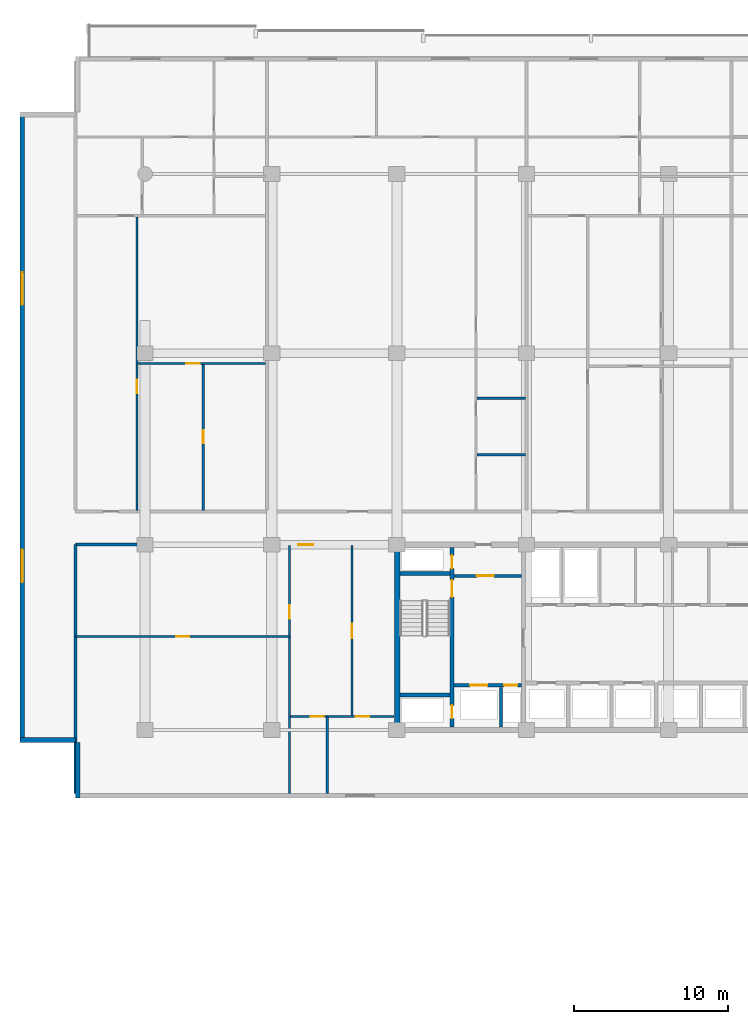
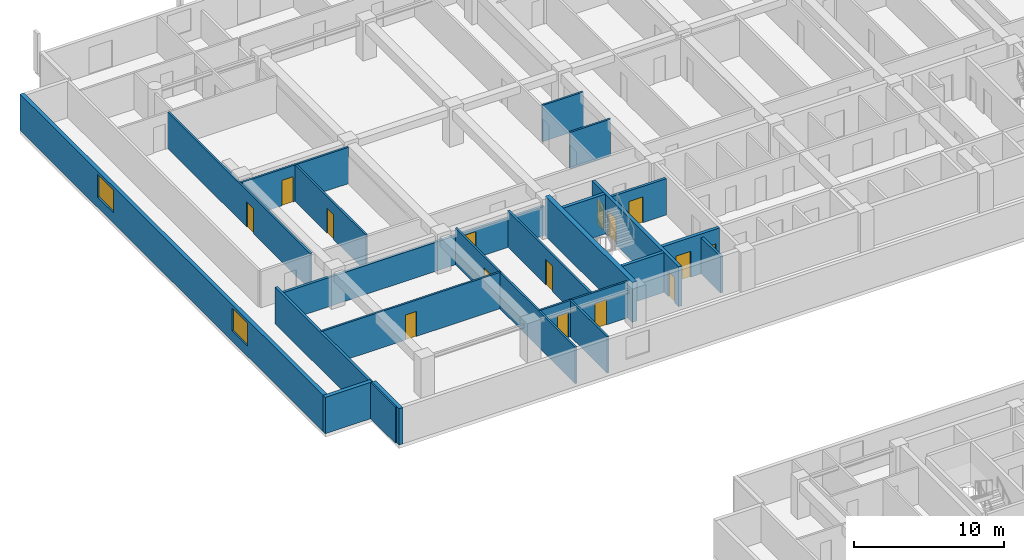
# One storey, part 9 of 23: 22 walls, 15 doors, 2 windows, 17 openings.
"""IFC4 building model written with IfcOpenShell, lengths in metres."""

from ifc_helpers import new_model, si_unit, direction, frame, frame_2d, origin, place, context, subcontext, project, spatial, rectangle, extrude, material, layer, layer_set, type_object, element, fill, save


model = new_model("IFC4")

# Units and contexts
model_context = context("Model", 3, precision=1e-05, world=origin(), true_north=direction((0.0, 1.0)))
body_context = subcontext(model_context, "Body", "Model", "MODEL_VIEW")
ifc_project = project(units=[si_unit("LENGTHUNIT", "METRE"), si_unit("AREAUNIT", "SQUARE_METRE"), si_unit("VOLUMEUNIT", "CUBIC_METRE"), si_unit("PLANEANGLEUNIT", "RADIAN"), si_unit("MASSUNIT", "GRAM", prefix="KILO")], contexts=[model_context])

# Site, building, storey
site_placement = place(None, origin())
site = spatial("IfcSite", under=ifc_project, at=site_placement, CompositionType="ELEMENT")
building_placement = place(site_placement, origin())
building = spatial("IfcBuilding", under=site, at=building_placement, Name="Korimba Cascade Residences", CompositionType="ELEMENT")
storey_placement = place(building_placement, frame((0.0, 0.0, 40.25)))
storey = spatial("IfcBuildingStorey", under=building, at=storey_placement, Name="L10", CompositionType="ELEMENT", Elevation=40.25)

# Wall, openings, windows
ifc_material_1 = material(Name="Precast concrete C40/50", Category="concrete")
ifc_layer_1 = layer(ifc_material_1, 0.300048828125)
ifc_layer_set_1 = layer_set([ifc_layer_1], Name="Precast concrete C40/50")
wall_type_1 = type_object("IfcWallType", Name="EW-STONE-300", PredefinedType="STANDARD", material=ifc_layer_set_1)
wall_1_placement = place(storey_placement, frame((51.85009765625, 95.199951171875, 0.0), z_axis=(0.0, 0.0, 1.0), x_axis=(0.0, -1.0, 0.0)))
wall_1 = element("IfcWall", 1, at=wall_1_placement, inside=storey, type_object=wall_type_1, Name="L10 T1 Perimeter Stone Wall E09", PredefinedType="STANDARD", context=body_context, shape_type="SweptSolid", body=[
    extrude(rectangle(XDim=40.800048828125, YDim=0.300048828125, at=frame_2d((20.39990234375, 0.0))), origin(), (0.0, 0.0, 1.0), 2.969970703125),
])
opening_1_placement = place(wall_1_placement, frame((10.3740234375, 0.0, 0.85009765625)))
opening_1 = element("IfcOpeningElement", 2, at=opening_1_placement, cuts=wall_1, Name="Opening W-03", PredefinedType="OPENING", context=body_context, shape_type="SweptSolid", body=[
    extrude(rectangle(XDim=2.10009765625, YDim=1.85009765625, at=frame_2d((1.050048828125, 0.925048828125))), frame((0.0, 0.16015625, 0.0), z_axis=(0.0, -1.0, 0.0), x_axis=(1.0, 0.0, 0.0)), (0.0, 0.0, 1.0), 0.320068359375),
])
opening_2_placement = place(wall_1_placement, frame((28.325927734375, 0.0, 0.85009765625)))
opening_2 = element("IfcOpeningElement", 3, at=opening_2_placement, cuts=wall_1, Name="Opening W-03", PredefinedType="OPENING", context=body_context, shape_type="SweptSolid", body=[
    extrude(rectangle(XDim=2.10009765625, YDim=1.85009765625, at=frame_2d((1.050048828125, 0.925048828125))), frame((0.0, 0.16015625, 0.0), z_axis=(0.0, -1.0, 0.0), x_axis=(1.0, 0.0, 0.0)), (0.0, 0.0, 1.0), 0.320068359375),
])
ifc_material_2 = material(Name="Double-Glazed Aluminium Window", Category="aluminium")
window_type = type_object("IfcWindowType", Name="WIN-CRN-2100", PartitioningType="DOUBLE_PANEL_HORIZONTAL", PredefinedType="WINDOW", material=ifc_material_2)
window_1_placement = place(opening_1_placement, origin())
window_1 = element("IfcWindow", 4, at=window_1_placement, inside=storey, type_object=window_type, Name="L10 T1 End View Window 9.1", OverallHeight=1.85009765625, OverallWidth=2.10009765625, PartitioningType="DOUBLE_PANEL_HORIZONTAL", PredefinedType="WINDOW", context=body_context, shape_type="SweptSolid", body=[
    extrude(rectangle(XDim=2.10009765625, YDim=1.85009765625, at=frame_2d((1.050048828125, 0.925048828125))), frame((0.0, 0.030029296875, 0.0), z_axis=(0.0, -1.0, 0.0), x_axis=(1.0, 0.0, 0.0)), (0.0, 0.0, 1.0), 0.06005859375),
])
fill(opening_1, window_1)
window_2_placement = place(opening_2_placement, origin())
window_2 = element("IfcWindow", 5, at=window_2_placement, inside=storey, type_object=window_type, Name="L10 T1 End View Window 9.2", OverallHeight=1.85009765625, OverallWidth=2.10009765625, PartitioningType="DOUBLE_PANEL_HORIZONTAL", PredefinedType="WINDOW", context=body_context, shape_type="SweptSolid", body=[
    extrude(rectangle(XDim=2.10009765625, YDim=1.85009765625, at=frame_2d((1.050048828125, 0.925048828125))), frame((0.0, 0.030029296875, 0.0), z_axis=(0.0, -1.0, 0.0), x_axis=(1.0, 0.0, 0.0)), (0.0, 0.0, 1.0), 0.06005859375),
])
fill(opening_2, window_2)

# Walls
wall_2_placement = place(storey_placement, frame((51.699951171875, 54.550048828125, 0.0), z_axis=(0.0, 0.0, 1.0), x_axis=(1.0, 0.0, 0.0)))
element("IfcWall", 6, at=wall_2_placement, inside=storey, type_object=wall_type_1, Name="L10 T1 Perimeter Stone Wall E10", PredefinedType="STANDARD", context=body_context, shape_type="SweptSolid", body=[
    extrude(rectangle(XDim=3.60009765625, YDim=0.300048828125, at=frame_2d((1.800048828125, 0.0))), origin(), (0.0, 0.0, 1.0), 2.969970703125),
])
wall_3_placement = place(storey_placement, frame((55.449951171875, 54.39990234375, 0.0), z_axis=(0.0, 0.0, 1.0), x_axis=(0.0, -1.0, 0.0)))
element("IfcWall", 7, at=wall_3_placement, inside=storey, type_object=wall_type_1, Name="L10 T1 Perimeter Stone Wall E11", PredefinedType="STANDARD", context=body_context, shape_type="SweptSolid", body=[
    extrude(rectangle(XDim=3.599853515625, YDim=0.300048828125, at=frame_2d((1.7998046875, 0.0))), origin(), (0.0, 0.0, 1.0), 2.969970703125),
])
ifc_material_3 = material(Name="Concrete C65/80", Category="concrete")
ifc_layer_2 = layer(ifc_material_3, 0.35009765625)
ifc_layer_set_2 = layer_set([ifc_layer_2], Name="Concrete C65/80")
wall_type_2 = type_object("IfcWallType", Name="WAL-CORE-350", PredefinedType="SHEAR", material=ifc_layer_set_2)
wall_4_placement = place(storey_placement, frame((76.125, 55.375, 0.0), z_axis=(0.0, 0.0, 1.0), x_axis=(0.0, 1.0, 0.0)))
element("IfcWall", 8, at=wall_4_placement, inside=storey, type_object=wall_type_2, Name="L10 Core Shear Wall CW-L10-T1-W", PredefinedType="SHEAR", context=body_context, shape_type="SweptSolid", body=[
    extrude(rectangle(XDim=11.64990234375, YDim=0.35009765625, at=frame_2d((5.824951171875, 0.0))), origin(), (0.0, 0.0, 1.0), 3.25),
])
ifc_layer_3 = layer(ifc_material_1, 0.199951171875)
ifc_layer_set_3 = layer_set([ifc_layer_3], Name="Precast concrete C40/50")
wall_type_3 = type_object("IfcWallType", Name="WAL-IT-200", PredefinedType="PARTITIONING", material=ifc_layer_set_3)
wall_5_placement = place(storey_placement, frame((55.300048828125, 51.10009765625, 0.0), z_axis=(0.0, 0.0, 1.0), x_axis=(0.0, 1.0, 0.0)))
element("IfcWall", 9, at=wall_5_placement, inside=storey, type_object=wall_type_3, Name="L10 Partition Wall WAL-L10-T1-FW-WL", PredefinedType="PARTITIONING", context=body_context, shape_type="SweptSolid", body=[
    extrude(rectangle(XDim=16.099853515625, YDim=0.199951171875, at=frame_2d((8.0498046875, 0.0))), origin(), (0.0, 0.0, 1.0), 2.969970703125),
])

# Wall, opening, door
wall_6_placement = place(storey_placement, frame((55.300048828125, 67.199951171875, 0.0), z_axis=(0.0, 0.0, 1.0), x_axis=(1.0, 0.0, 0.0)))
wall_6 = element("IfcWall", 10, at=wall_6_placement, inside=storey, type_object=wall_type_3, Name="L10 Partition Wall WAL-L10-T1-FW-N", PredefinedType="PARTITIONING", context=body_context, shape_type="SweptSolid", body=[
    extrude(rectangle(XDim=20.64990234375, YDim=0.199951171875, at=frame_2d((10.324951171875, 0.0))), origin(), (0.0, 0.0, 1.0), 2.3701171875),
])
opening_3_placement = place(wall_6_placement, frame((14.426025390625, 0.0, 0.0)))
opening_3 = element("IfcOpeningElement", 11, at=opening_3_placement, cuts=wall_6, Name="Opening D-UN1", PredefinedType="OPENING", context=body_context, shape_type="SweptSolid", body=[
    extrude(rectangle(XDim=0.949951171875, YDim=2.14990234375, at=frame_2d((0.47509765625, 1.074951171875))), frame((0.0, 0.10986328125, 0.0), z_axis=(0.0, -1.0, 0.0), x_axis=(1.0, 0.0, 0.0)), (0.0, 0.0, 1.0), 0.219970703125),
])
ifc_material_4 = material(Name="Fire-Rated Hardwood Apartment Entrance Door", Category="wood")
door_type_1 = type_object("IfcDoorType", Name="DR-FD60-950", OperationType="NOTDEFINED", PredefinedType="DOOR", material=ifc_material_4)
door_1_placement = place(opening_3_placement, origin())
door_1 = element("IfcDoor", 12, at=door_1_placement, inside=storey, type_object=door_type_1, Name="L10-T1-FW Entrance Door", OperationType="SINGLE_SWING_LEFT", OverallHeight=2.14990234375, OverallWidth=0.949951171875, PredefinedType="DOOR", context=body_context, shape_type="SweptSolid", body=[
    extrude(rectangle(XDim=0.949951171875, YDim=2.14990234375, at=frame_2d((0.47509765625, 1.074951171875))), frame((0.0, 0.02490234375, 0.0), z_axis=(0.0, -1.0, 0.0), x_axis=(1.0, 0.0, 0.0)), (0.0, 0.0, 1.0), 0.050048828125),
])
fill(opening_3, door_1)

ifc_material_5 = material(Name="Insulated Acoustic Stud Partition", Category="gypsum")
ifc_layer_4 = layer(ifc_material_5, 0.14990234375)
ifc_layer_set_4 = layer_set([ifc_layer_4], Name="Insulated Acoustic Stud Partition")
wall_type_4 = type_object("IfcWallType", Name="WAL-PART-150", PredefinedType="PARTITIONING", material=ifc_layer_set_4)
wall_7_placement = place(storey_placement, frame((55.300048828125, 61.25, 0.0), z_axis=(0.0, 0.0, 1.0), x_axis=(1.0, 0.0, 0.0)))
wall_7 = element("IfcWall", 13, at=wall_7_placement, inside=storey, type_object=wall_type_4, Name="L10 Partition Wall WAL-L10-T1-FW-STH", PredefinedType="PARTITIONING", context=body_context, shape_type="SweptSolid", body=[
    extrude(rectangle(XDim=13.849853515625, YDim=0.14990234375, at=frame_2d((6.9248046875, 0.0))), origin(), (0.0, 0.0, 1.0), 2.969970703125),
])
opening_4_placement = place(wall_7_placement, frame((6.5048828125, 0.0, 0.0)))
opening_4 = element("IfcOpeningElement", 14, at=opening_4_placement, cuts=wall_7, Name="Opening D-BT1", PredefinedType="OPENING", context=body_context, shape_type="SweptSolid", body=[
    extrude(rectangle(XDim=0.840087890625, YDim=2.0400390625, at=frame_2d((0.419921875, 1.02001953125))), frame((0.0, 0.0849609375, 0.0), z_axis=(0.0, -1.0, 0.0), x_axis=(1.0, 0.0, 0.0)), (0.0, 0.0, 1.0), 0.169921875),
])
ifc_material_6 = material(Name="Moisture-Resistant Bathroom Timber Door", Category="wood")
door_type_2 = type_object("IfcDoorType", Name="DR-INT-850", OperationType="NOTDEFINED", PredefinedType="DOOR", material=ifc_material_6)
door_2_placement = place(opening_4_placement, origin())
door_2 = element("IfcDoor", 15, at=door_2_placement, inside=storey, type_object=door_type_2, Name="L10-T1-FW Dressing Store Door", OperationType="SINGLE_SWING_RIGHT", OverallHeight=2.0400390625, OverallWidth=0.840087890625, PredefinedType="DOOR", context=body_context, shape_type="SweptSolid", body=[
    extrude(rectangle(XDim=0.840087890625, YDim=2.0400390625, at=frame_2d((0.419921875, 1.02001953125))), frame((0.0, 0.02490234375, 0.0), z_axis=(0.0, -1.0, 0.0), x_axis=(1.0, 0.0, 0.0)), (0.0, 0.0, 1.0), 0.050048828125),
])
fill(opening_4, door_2)

wall_8_placement = place(storey_placement, frame((69.14990234375, 51.10009765625, 0.0), z_axis=(0.0, 0.0, 1.0), x_axis=(0.0, 1.0, 0.0)))
wall_8 = element("IfcWall", 16, at=wall_8_placement, inside=storey, type_object=wall_type_4, Name="L10 Partition Wall WAL-L10-T1-FW-STV", PredefinedType="PARTITIONING", context=body_context, shape_type="SweptSolid", body=[
    extrude(rectangle(XDim=16.0498046875, YDim=0.14990234375, at=frame_2d((8.02490234375, 0.0))), origin(), (0.0, 0.0, 1.0), 2.969970703125),
])
opening_5_placement = place(wall_8_placement, frame((11.300048828125, 0.0, 0.0)))
opening_5 = element("IfcOpeningElement", 17, at=opening_5_placement, cuts=wall_8, Name="Opening D-IN2", PredefinedType="OPENING", context=body_context, shape_type="SweptSolid", body=[
    extrude(rectangle(XDim=0.8798828125, YDim=2.06005859375, at=frame_2d((0.43994140625, 1.030029296875))), frame((0.0, 0.0849609375, 0.0), z_axis=(0.0, -1.0, 0.0), x_axis=(1.0, 0.0, 0.0)), (0.0, 0.0, 1.0), 0.169921875),
])
ifc_material_7 = material(Name="Acoustic Timber Bedroom Door", Category="wood")
door_type_3 = type_object("IfcDoorType", Name="DR-INT-880", OperationType="NOTDEFINED", PredefinedType="DOOR", material=ifc_material_7)
door_3_placement = place(opening_5_placement, origin())
door_3 = element("IfcDoor", 18, at=door_3_placement, inside=storey, type_object=door_type_3, Name="L10-T1-FW Study Door", OperationType="SINGLE_SWING_LEFT", OverallHeight=2.06005859375, OverallWidth=0.8798828125, PredefinedType="DOOR", context=body_context, shape_type="SweptSolid", body=[
    extrude(rectangle(XDim=0.8798828125, YDim=2.06005859375, at=frame_2d((0.43994140625, 1.030029296875))), frame((0.0, 0.02490234375, 0.0), z_axis=(0.0, -1.0, 0.0), x_axis=(1.0, 0.0, 0.0)), (0.0, 0.0, 1.0), 0.050048828125),
])
fill(opening_5, door_3)

wall_9_placement = place(storey_placement, frame((73.199951171875, 56.070068359375, 0.0), z_axis=(0.0, 0.0, 1.0), x_axis=(0.0, 1.0, 0.0)))
wall_9 = element("IfcWall", 19, at=wall_9_placement, inside=storey, type_object=wall_type_4, Name="L10 Partition Wall WAL-L10-T1-FW-VN", PredefinedType="PARTITIONING", context=body_context, shape_type="SweptSolid", body=[
    extrude(rectangle(XDim=11.079833984375, YDim=0.14990234375, at=frame_2d((5.5400390625, 0.0))), origin(), (0.0, 0.0, 1.0), 2.969970703125),
])
opening_6_placement = place(wall_9_placement, frame((5.080078125, 0.0, 0.0)))
opening_6 = element("IfcOpeningElement", 20, at=opening_6_placement, cuts=wall_9, Name="Opening D-IN1", PredefinedType="OPENING", context=body_context, shape_type="SweptSolid", body=[
    extrude(rectangle(XDim=0.919921875, YDim=2.080078125, at=frame_2d((0.4599609375, 1.0400390625))), frame((0.0, 0.0849609375, 0.0), z_axis=(0.0, -1.0, 0.0), x_axis=(1.0, 0.0, 0.0)), (0.0, 0.0, 1.0), 0.169921875),
])
ifc_material_8 = material(Name="Acoustic Timber Living Door", Category="wood")
door_type_4 = type_object("IfcDoorType", Name="DR-INT-920", OperationType="NOTDEFINED", PredefinedType="DOOR", material=ifc_material_8)
door_4_placement = place(opening_6_placement, origin())
door_4 = element("IfcDoor", 21, at=door_4_placement, inside=storey, type_object=door_type_4, Name="L10-T1-FW Living Door", OperationType="SINGLE_SWING_RIGHT", OverallHeight=2.080078125, OverallWidth=0.919921875, PredefinedType="DOOR", context=body_context, shape_type="SweptSolid", body=[
    extrude(rectangle(XDim=0.919921875, YDim=2.080078125, at=frame_2d((0.4599609375, 1.0400390625))), frame((0.0, 0.02490234375, 0.0), z_axis=(0.0, -1.0, 0.0), x_axis=(1.0, 0.0, 0.0)), (0.0, 0.0, 1.0), 0.050048828125),
])
fill(opening_6, door_4)

# Wall
wall_10_placement = place(storey_placement, frame((71.60009765625, 51.10009765625, 0.0), z_axis=(0.0, 0.0, 1.0), x_axis=(0.0, 1.0, 0.0)))
element("IfcWall", 22, at=wall_10_placement, inside=storey, type_object=wall_type_4, Name="L10 Partition Wall WAL-L10-T1-FW-VS", PredefinedType="PARTITIONING", context=body_context, shape_type="SweptSolid", body=[
    extrude(rectangle(XDim=4.969970703125, YDim=0.14990234375, at=frame_2d((2.48486328125, 0.0))), origin(), (0.0, 0.0, 1.0), 2.969970703125),
])

# Wall, openings, doors
wall_11_placement = place(storey_placement, frame((69.169921875, 56.070068359375, 0.0), z_axis=(0.0, 0.0, 1.0), x_axis=(1.0, 0.0, 0.0)))
wall_11 = element("IfcWall", 23, at=wall_11_placement, inside=storey, type_object=wall_type_4, Name="L10 Partition Wall WAL-L10-T1-FW-H", PredefinedType="PARTITIONING", context=body_context, shape_type="SweptSolid", body=[
    extrude(rectangle(XDim=6.760009765625, YDim=0.14990234375, at=frame_2d((3.3798828125, 0.0))), origin(), (0.0, 0.0, 1.0), 2.969970703125),
])
opening_7_placement = place(wall_11_placement, frame((1.3623046875, 0.0, 0.0)))
opening_7 = element("IfcOpeningElement", 24, at=opening_7_placement, cuts=wall_11, Name="Opening D-BT1", PredefinedType="OPENING", context=body_context, shape_type="SweptSolid", body=[
    extrude(rectangle(XDim=0.840087890625, YDim=2.0400390625, at=frame_2d((0.419921875, 1.02001953125))), frame((0.0, 0.0849609375, 0.0), z_axis=(0.0, -1.0, 0.0), x_axis=(1.0, 0.0, 0.0)), (0.0, 0.0, 1.0), 0.169921875),
])
opening_8_placement = place(wall_11_placement, frame((4.276611328125, 0.0, 0.0)))
opening_8 = element("IfcOpeningElement", 25, at=opening_8_placement, cuts=wall_11, Name="Opening D-IN2", PredefinedType="OPENING", context=body_context, shape_type="SweptSolid", body=[
    extrude(rectangle(XDim=0.8798828125, YDim=2.06005859375, at=frame_2d((0.43994140625, 1.030029296875))), frame((0.0, 0.0849609375, 0.0), z_axis=(0.0, -1.0, 0.0), x_axis=(1.0, 0.0, 0.0)), (0.0, 0.0, 1.0), 0.169921875),
])
door_5_placement = place(opening_7_placement, origin())
door_5 = element("IfcDoor", 26, at=door_5_placement, inside=storey, type_object=door_type_2, Name="L10-T1-FW Bathroom Door", OperationType="SINGLE_SWING_LEFT", OverallHeight=2.0400390625, OverallWidth=0.840087890625, PredefinedType="DOOR", context=body_context, shape_type="SweptSolid", body=[
    extrude(rectangle(XDim=0.840087890625, YDim=2.0400390625, at=frame_2d((0.419921875, 1.02001953125))), frame((0.0, 0.02490234375, 0.0), z_axis=(0.0, -1.0, 0.0), x_axis=(1.0, 0.0, 0.0)), (0.0, 0.0, 1.0), 0.050048828125),
])
fill(opening_7, door_5)
door_6_placement = place(opening_8_placement, origin())
door_6 = element("IfcDoor", 27, at=door_6_placement, inside=storey, type_object=door_type_3, Name="L10-T1-FW Bedroom Door", OperationType="SINGLE_SWING_RIGHT", OverallHeight=2.06005859375, OverallWidth=0.8798828125, PredefinedType="DOOR", context=body_context, shape_type="SweptSolid", body=[
    extrude(rectangle(XDim=0.8798828125, YDim=2.06005859375, at=frame_2d((0.43994140625, 1.030029296875))), frame((0.0, 0.02490234375, 0.0), z_axis=(0.0, -1.0, 0.0), x_axis=(1.0, 0.0, 0.0)), (0.0, 0.0, 1.0), 0.050048828125),
])
fill(opening_8, door_6)

# Wall, opening, door
wall_12_placement = place(storey_placement, frame((63.565185546875, 69.409912109375, 0.0), z_axis=(0.0, 0.0, 1.0), x_axis=(0.0, 1.0, 0.0)))
wall_12 = element("IfcWall", 28, at=wall_12_placement, inside=storey, type_object=wall_type_4, Name="L10 Partition Wall WAL-L10-T1-U01-FMV", PredefinedType="PARTITIONING", context=body_context, shape_type="SweptSolid", body=[
    extrude(rectangle(XDim=9.525146484375, YDim=0.14990234375, at=frame_2d((4.7626953125, 0.0))), origin(), (0.0, 0.0, 1.0), 2.969970703125),
])
opening_9_placement = place(wall_12_placement, frame((4.342529296875, 0.0, 0.0)))
opening_9 = element("IfcOpeningElement", 29, at=opening_9_placement, cuts=wall_12, Name="Opening D-BT1", PredefinedType="OPENING", context=body_context, shape_type="SweptSolid", body=[
    extrude(rectangle(XDim=0.840087890625, YDim=2.0400390625, at=frame_2d((0.419921875, 1.02001953125))), frame((0.0, 0.0849609375, 0.0), z_axis=(0.0, -1.0, 0.0), x_axis=(1.0, 0.0, 0.0)), (0.0, 0.0, 1.0), 0.169921875),
])
door_7_placement = place(opening_9_placement, origin())
door_7 = element("IfcDoor", 30, at=door_7_placement, inside=storey, type_object=door_type_2, Name="L10-T1-U01 Wardrobe Door", OperationType="SINGLE_SWING_RIGHT", OverallHeight=2.0400390625, OverallWidth=0.840087890625, PredefinedType="DOOR", context=body_context, shape_type="SweptSolid", body=[
    extrude(rectangle(XDim=0.840087890625, YDim=2.0400390625, at=frame_2d((0.419921875, 1.02001953125))), frame((0.0, 0.02490234375, 0.0), z_axis=(0.0, -1.0, 0.0), x_axis=(1.0, 0.0, 0.0)), (0.0, 0.0, 1.0), 0.050048828125),
])
fill(opening_9, door_7)

wall_13_placement = place(storey_placement, frame((59.330078125, 78.93505859375, 0.0), z_axis=(0.0, 0.0, 1.0), x_axis=(1.0, 0.0, 0.0)))
wall_13 = element("IfcWall", 31, at=wall_13_placement, inside=storey, type_object=wall_type_4, Name="L10 Partition Wall WAL-L10-T1-U01-FMH", PredefinedType="PARTITIONING", context=body_context, shape_type="SweptSolid", body=[
    extrude(rectangle(XDim=8.27001953125, YDim=0.14990234375, at=frame_2d((4.135009765625, 0.0))), origin(), (0.0, 0.0, 1.0), 2.969970703125),
])
opening_10_placement = place(wall_13_placement, frame((3.135009765625, 0.0, 0.0)))
opening_10 = element("IfcOpeningElement", 32, at=opening_10_placement, cuts=wall_13, Name="Opening D-IN2", PredefinedType="OPENING", context=body_context, shape_type="SweptSolid", body=[
    extrude(rectangle(XDim=0.8798828125, YDim=2.06005859375, at=frame_2d((0.43994140625, 1.030029296875))), frame((0.0, 0.0849609375, 0.0), z_axis=(0.0, -1.0, 0.0), x_axis=(1.0, 0.0, 0.0)), (0.0, 0.0, 1.0), 0.169921875),
])
door_8_placement = place(opening_10_placement, origin())
door_8 = element("IfcDoor", 33, at=door_8_placement, inside=storey, type_object=door_type_3, Name="L10-T1-U01 Library Salon Door", OperationType="SINGLE_SWING_LEFT", OverallHeight=2.06005859375, OverallWidth=0.8798828125, PredefinedType="DOOR", context=body_context, shape_type="SweptSolid", body=[
    extrude(rectangle(XDim=0.8798828125, YDim=2.06005859375, at=frame_2d((0.43994140625, 1.030029296875))), frame((0.0, 0.02490234375, 0.0), z_axis=(0.0, -1.0, 0.0), x_axis=(1.0, 0.0, 0.0)), (0.0, 0.0, 1.0), 0.050048828125),
])
fill(opening_10, door_8)

wall_14_placement = place(storey_placement, frame((59.27001953125, 69.409912109375, 0.0), z_axis=(0.0, 0.0, 1.0), x_axis=(0.0, 1.0, 0.0)))
wall_14 = element("IfcWall", 34, at=wall_14_placement, inside=storey, type_object=wall_type_4, Name="L10 Partition Wall WAL-L10-T1-U01-FV", PredefinedType="PARTITIONING", context=body_context, shape_type="SweptSolid", body=[
    extrude(rectangle(XDim=19.050048828125, YDim=0.14990234375, at=frame_2d((9.52490234375, 0.0))), origin(), (0.0, 0.0, 1.0), 2.969970703125),
])
opening_11_placement = place(wall_14_placement, frame((7.590576171875, 0.0, 0.0)))
opening_11 = element("IfcOpeningElement", 35, at=opening_11_placement, cuts=wall_14, Name="Opening D-IN2", PredefinedType="OPENING", context=body_context, shape_type="SweptSolid", body=[
    extrude(rectangle(XDim=0.8798828125, YDim=2.06005859375, at=frame_2d((0.43994140625, 1.030029296875))), frame((0.0, 0.0849609375, 0.0), z_axis=(0.0, -1.0, 0.0), x_axis=(1.0, 0.0, 0.0)), (0.0, 0.0, 1.0), 0.169921875),
])
door_9_placement = place(opening_11_placement, origin())
door_9 = element("IfcDoor", 36, at=door_9_placement, inside=storey, type_object=door_type_3, Name="L10-T1-U01 Media Lounge Door", OperationType="SINGLE_SWING_RIGHT", OverallHeight=2.06005859375, OverallWidth=0.8798828125, PredefinedType="DOOR", context=body_context, shape_type="SweptSolid", body=[
    extrude(rectangle(XDim=0.8798828125, YDim=2.06005859375, at=frame_2d((0.43994140625, 1.030029296875))), frame((0.0, 0.02490234375, 0.0), z_axis=(0.0, -1.0, 0.0), x_axis=(1.0, 0.0, 0.0)), (0.0, 0.0, 1.0), 0.050048828125),
])
fill(opening_11, door_9)

# Walls
for number, where, z_axis, x_axis, name in (
    (37, (81.289306640625, 73.02001953125, 0.0), (0.0, 0.0, 1.0), (1.0, 0.0, 0.0), "L10 Partition Wall WAL-L10-T1-U02-WCH"),
    (38, (81.289306640625, 76.669921875, 0.0), (0.0, 0.0, 1.0), (1.0, 0.0, 0.0), "L10 Partition Wall WAL-L10-T1-U02-WCH2"),
):
    element("IfcWall", number, at=place(storey_placement, frame(where, z_axis=z_axis, x_axis=x_axis)), inside=storey, type_object=wall_type_4, Name=name, PredefinedType="PARTITIONING", context=body_context, shape_type="SweptSolid", body=[
        extrude(rectangle(XDim=3.130126953125, YDim=0.14990234375, at=frame_2d((1.56494140625, 0.0))), origin(), (0.0, 0.0, 1.0), 2.969970703125),
    ])
ifc_material_9 = material(Name="Concrete C40/50", Category="concrete")
ifc_layer_5 = layer(ifc_material_9, 0.199951171875)
ifc_layer_set_5 = layer_set([ifc_layer_5], Name="Concrete C40/50")
wall_type_5 = type_object("IfcWallType", Name="WAL-PART-200", PredefinedType="PARTITIONING", material=ifc_layer_set_5)
wall_15_placement = place(storey_placement, frame((82.85009765625, 55.39990234375, 0.0), z_axis=(0.0, 0.0, 1.0), x_axis=(0.0, 1.0, 0.0)))
element("IfcWall", 39, at=wall_15_placement, inside=storey, type_object=wall_type_5, Name="L10 Partition Wall CW-L10-T1-FFLDIV", PredefinedType="PARTITIONING", context=body_context, shape_type="SweptSolid", body=[
    extrude(rectangle(XDim=2.56005859375, YDim=0.199951171875, at=frame_2d((1.280029296875, 0.0))), origin(), (0.0, 0.0, 1.0), 2.969970703125),
])

# Wall, opening, door
wall_16_placement = place(storey_placement, frame((79.7900390625, 65.179931640625, 0.0), z_axis=(0.0, 0.0, 1.0), x_axis=(1.0, 0.0, 0.0)))
wall_16 = element("IfcWall", 40, at=wall_16_placement, inside=storey, type_object=wall_type_5, Name="L10 Partition Wall CW-L10-T1-FFLN", PredefinedType="PARTITIONING", context=body_context, shape_type="SweptSolid", body=[
    extrude(rectangle(XDim=4.389892578125, YDim=0.199951171875, at=frame_2d((2.19482421875, 0.0))), origin(), (0.0, 0.0, 1.0), 2.969970703125),
])
opening_12_placement = place(wall_16_placement, frame((1.5, 0.0, 0.0)))
opening_12 = element("IfcOpeningElement", 41, at=opening_12_placement, cuts=wall_16, Name="Opening D-FD1", PredefinedType="OPENING", context=body_context, shape_type="SweptSolid", body=[
    extrude(rectangle(XDim=1.10009765625, YDim=2.10009765625, at=frame_2d((0.550048828125, 1.050048828125))), frame((0.0, 0.10986328125, 0.0), z_axis=(0.0, -1.0, 0.0), x_axis=(1.0, 0.0, 0.0)), (0.0, 0.0, 1.0), 0.219970703125),
])
ifc_material_10 = material(Name="Fire-Rated Steel Core Door", Category="steel")
door_type_5 = type_object("IfcDoorType", Name="DR-FD120-1100", OperationType="NOTDEFINED", PredefinedType="DOOR", material=ifc_material_10)
door_10_placement = place(opening_12_placement, origin())
door_10 = element("IfcDoor", 42, at=door_10_placement, inside=storey, type_object=door_type_5, Name="L10 West Firefighting Lobby Door", OperationType="SINGLE_SWING_LEFT", OverallHeight=2.10009765625, OverallWidth=1.10009765625, PredefinedType="DOOR", context=body_context, shape_type="SweptSolid", body=[
    extrude(rectangle(XDim=1.10009765625, YDim=2.10009765625, at=frame_2d((0.550048828125, 1.050048828125))), frame((0.0, 0.02490234375, 0.0), z_axis=(0.0, -1.0, 0.0), x_axis=(1.0, 0.0, 0.0)), (0.0, 0.0, 1.0), 0.050048828125),
])
fill(opening_12, door_10)

# Wall, openings, doors
ifc_material_11 = material(Name="Concrete C50/60", Category="concrete")
ifc_layer_6 = layer(ifc_material_11, 0.25)
ifc_layer_set_6 = layer_set([ifc_layer_6], Name="Concrete C50/60")
wall_type_6 = type_object("IfcWallType", Name="WAL-SHAFT-250", PredefinedType="SHEAR", material=ifc_layer_set_6)
wall_17_placement = place(storey_placement, frame((79.6650390625, 55.39990234375, 0.0), z_axis=(0.0, 0.0, 1.0), x_axis=(0.0, 1.0, 0.0)))
wall_17 = element("IfcWall", 43, at=wall_17_placement, inside=storey, type_object=wall_type_6, Name="L10 Core Shear Wall CW-L10-T1-STW1E", PredefinedType="SHEAR", context=body_context, shape_type="SweptSolid", body=[
    extrude(rectangle(XDim=11.60009765625, YDim=0.25, at=frame_2d((5.800048828125, 0.0))), origin(), (0.0, 0.0, 1.0), 3.25),
])
opening_13_placement = place(wall_17_placement, frame((0.550048828125, 0.0, 0.0)))
opening_13 = element("IfcOpeningElement", 44, at=opening_13_placement, cuts=wall_17, Name="Opening D-RS1", PredefinedType="OPENING", context=body_context, shape_type="SweptSolid", body=[
    extrude(rectangle(XDim=0.85009765625, YDim=2.050048828125, at=frame_2d((0.425048828125, 1.02490234375))), frame((0.0, 0.135009765625, 0.0), z_axis=(0.0, -1.0, 0.0), x_axis=(1.0, 0.0, 0.0)), (0.0, 0.0, 1.0), 0.27001953125),
])
opening_14_placement = place(wall_17_placement, frame((8.39990234375, 0.0, 0.0)))
opening_14 = element("IfcOpeningElement", 45, at=opening_14_placement, cuts=wall_17, Name="Opening D-FD1", PredefinedType="OPENING", context=body_context, shape_type="SweptSolid", body=[
    extrude(rectangle(XDim=1.10009765625, YDim=2.10009765625, at=frame_2d((0.550048828125, 1.050048828125))), frame((0.0, 0.135009765625, 0.0), z_axis=(0.0, -1.0, 0.0), x_axis=(1.0, 0.0, 0.0)), (0.0, 0.0, 1.0), 0.27001953125),
])
opening_15_placement = place(wall_17_placement, frame((10.25, 0.0, 0.0)))
opening_15 = element("IfcOpeningElement", 46, at=opening_15_placement, cuts=wall_17, Name="Opening D-RS1", PredefinedType="OPENING", context=body_context, shape_type="SweptSolid", body=[
    extrude(rectangle(XDim=0.85009765625, YDim=2.050048828125, at=frame_2d((0.425048828125, 1.02490234375))), frame((0.0, 0.135009765625, 0.0), z_axis=(0.0, -1.0, 0.0), x_axis=(1.0, 0.0, 0.0)), (0.0, 0.0, 1.0), 0.27001953125),
])
door_11_placement = place(opening_14_placement, origin())
door_11 = element("IfcDoor", 47, at=door_11_placement, inside=storey, type_object=door_type_5, Name="L10 Fire Stair ST-W1 Door", OperationType="SINGLE_SWING_RIGHT", OverallHeight=2.10009765625, OverallWidth=1.10009765625, PredefinedType="DOOR", context=body_context, shape_type="SweptSolid", body=[
    extrude(rectangle(XDim=1.10009765625, YDim=2.10009765625, at=frame_2d((0.550048828125, 1.050048828125))), frame((0.0, 0.02490234375, 0.0), z_axis=(0.0, -1.0, 0.0), x_axis=(1.0, 0.0, 0.0)), (0.0, 0.0, 1.0), 0.050048828125),
])
fill(opening_14, door_11)
ifc_material_12 = material(Name="Fire-Rated Steel Riser Access Door", Category="steel")
door_type_6 = type_object("IfcDoorType", Name="DR-FD60-850", OperationType="NOTDEFINED", PredefinedType="DOOR", material=ifc_material_12)
door_12_placement = place(opening_13_placement, origin())
door_12 = element("IfcDoor", 48, at=door_12_placement, inside=storey, type_object=door_type_6, Name="L10 Smoke Riser Access Door", OperationType="SINGLE_SWING_LEFT", OverallHeight=2.050048828125, OverallWidth=0.85009765625, PredefinedType="DOOR", context=body_context, shape_type="SweptSolid", body=[
    extrude(rectangle(XDim=0.85009765625, YDim=2.050048828125, at=frame_2d((0.425048828125, 1.02490234375))), frame((0.0, 0.02490234375, 0.0), z_axis=(0.0, -1.0, 0.0), x_axis=(1.0, 0.0, 0.0)), (0.0, 0.0, 1.0), 0.050048828125),
])
fill(opening_13, door_12)
door_13_placement = place(opening_15_placement, origin())
door_13 = element("IfcDoor", 49, at=door_13_placement, inside=storey, type_object=door_type_6, Name="L10 Hydrant Riser Access Door", OperationType="SINGLE_SWING_LEFT", OverallHeight=2.050048828125, OverallWidth=0.85009765625, PredefinedType="DOOR", context=body_context, shape_type="SweptSolid", body=[
    extrude(rectangle(XDim=0.85009765625, YDim=2.050048828125, at=frame_2d((0.425048828125, 1.02490234375))), frame((0.0, 0.02490234375, 0.0), z_axis=(0.0, -1.0, 0.0), x_axis=(1.0, 0.0, 0.0)), (0.0, 0.0, 1.0), 0.050048828125),
])
fill(opening_15, door_13)

# Walls
for number, where, z_axis, x_axis, name in (
    (50, (76.300048828125, 57.47509765625, 0.0), (0.0, 0.0, 1.0), (1.0, 0.0, 0.0), "L10 Core Shear Wall CW-L10-T1-STW1S"),
    (51, (76.300048828125, 65.324951171875, 0.0), (0.0, 0.0, 1.0), (1.0, 0.0, 0.0), "L10 Core Shear Wall CW-L10-T1-STW1N"),
):
    element("IfcWall", number, at=place(storey_placement, frame(where, z_axis=z_axis, x_axis=x_axis)), inside=storey, type_object=wall_type_6, Name=name, PredefinedType="SHEAR", context=body_context, shape_type="SweptSolid", body=[
        extrude(rectangle(XDim=3.239990234375, YDim=0.25, at=frame_2d((1.6201171875, 0.0))), origin(), (0.0, 0.0, 1.0), 3.25),
    ])

# Wall, openings, doors
wall_18_placement = place(storey_placement, frame((79.7900390625, 58.10009765625, 0.0), z_axis=(0.0, 0.0, 1.0), x_axis=(1.0, 0.0, 0.0)))
wall_18 = element("IfcWall", 52, at=wall_18_placement, inside=storey, type_object=wall_type_6, Name="L10 Core Shear Wall CW-L10-T1-FFLS", PredefinedType="SHEAR", context=body_context, shape_type="SweptSolid", body=[
    extrude(rectangle(XDim=4.389892578125, YDim=0.25, at=frame_2d((2.19482421875, 0.0))), origin(), (0.0, 0.0, 1.0), 3.25),
])
opening_16_placement = place(wall_18_placement, frame((1.050048828125, 0.0, 0.0)))
opening_16 = element("IfcOpeningElement", 53, at=opening_16_placement, cuts=wall_18, Name="Opening LD-01", PredefinedType="OPENING", context=body_context, shape_type="SweptSolid", body=[
    extrude(rectangle(XDim=1.1201171875, YDim=2.1201171875, at=frame_2d((0.56005859375, 1.06005859375))), frame((0.0, 0.135009765625, 0.0), z_axis=(0.0, -1.0, 0.0), x_axis=(1.0, 0.0, 0.0)), (0.0, 0.0, 1.0), 0.27001953125),
])
opening_17_placement = place(wall_18_placement, frame((3.260009765625, 0.0, 0.0)))
opening_17 = element("IfcOpeningElement", 54, at=opening_17_placement, cuts=wall_18, Name="Opening D-RS1", PredefinedType="OPENING", context=body_context, shape_type="SweptSolid", body=[
    extrude(rectangle(XDim=0.85009765625, YDim=2.050048828125, at=frame_2d((0.425048828125, 1.02490234375))), frame((0.0, 0.135009765625, 0.0), z_axis=(0.0, -1.0, 0.0), x_axis=(1.0, 0.0, 0.0)), (0.0, 0.0, 1.0), 0.27001953125),
])
door_14_placement = place(opening_17_placement, origin())
door_14 = element("IfcDoor", 55, at=door_14_placement, inside=storey, type_object=door_type_6, Name="L10 Pressurisation Riser Door", OperationType="SINGLE_SWING_RIGHT", OverallHeight=2.050048828125, OverallWidth=0.85009765625, PredefinedType="DOOR", context=body_context, shape_type="SweptSolid", body=[
    extrude(rectangle(XDim=0.85009765625, YDim=2.050048828125, at=frame_2d((0.425048828125, 1.02490234375))), frame((0.0, 0.02490234375, 0.0), z_axis=(0.0, -1.0, 0.0), x_axis=(1.0, 0.0, 0.0)), (0.0, 0.0, 1.0), 0.050048828125),
])
fill(opening_17, door_14)
ifc_material_13 = material(Name="Stainless Steel Lift Landing Sliding Door", Category="steel")
door_type_7 = type_object("IfcDoorType", Name="DR-LIFT-1100", OperationType="NOTDEFINED", PredefinedType="DOOR", material=ifc_material_13)
door_15_placement = place(opening_16_placement, origin())
door_15 = element("IfcDoor", 56, at=door_15_placement, inside=storey, type_object=door_type_7, Name="L10 Firefighting Lift Landing Door FFL-W1", OperationType="SLIDING_TO_LEFT", OverallHeight=2.1201171875, OverallWidth=1.1201171875, PredefinedType="DOOR", context=body_context, shape_type="SweptSolid", body=[
    extrude(rectangle(XDim=1.1201171875, YDim=2.1201171875, at=frame_2d((0.56005859375, 1.06005859375))), frame((0.0, 0.02490234375, 0.0), z_axis=(0.0, -1.0, 0.0), x_axis=(1.0, 0.0, 0.0)), (0.0, 0.0, 1.0), 0.050048828125),
])
fill(opening_16, door_15)

save(model, "model.ifc")
